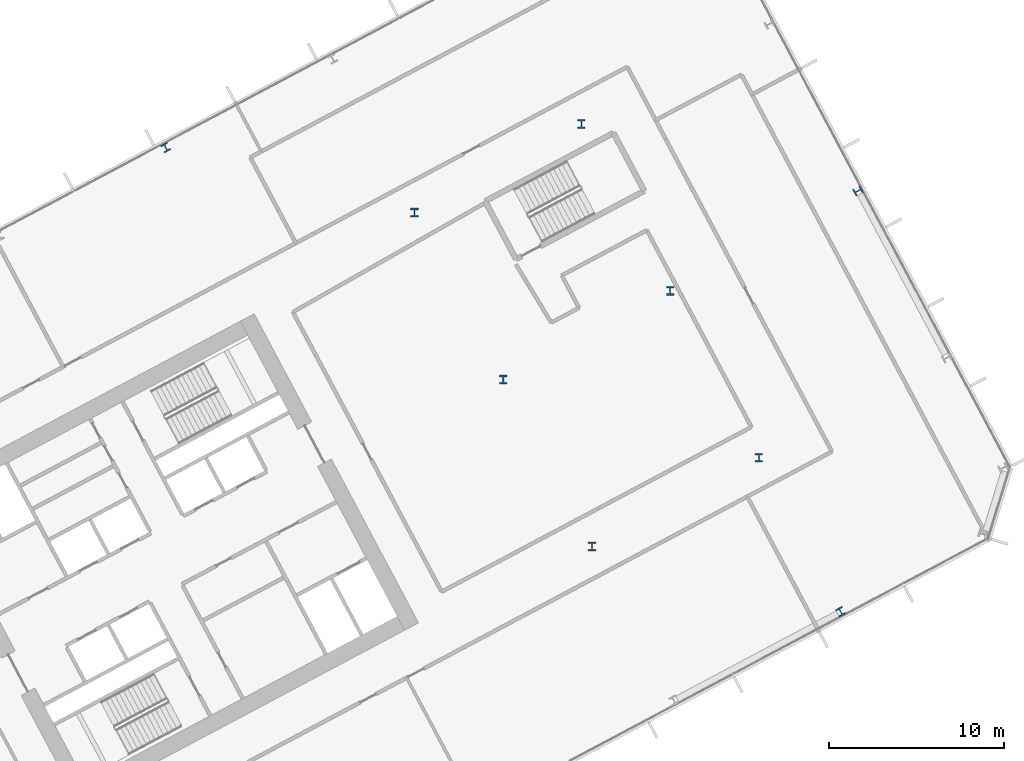
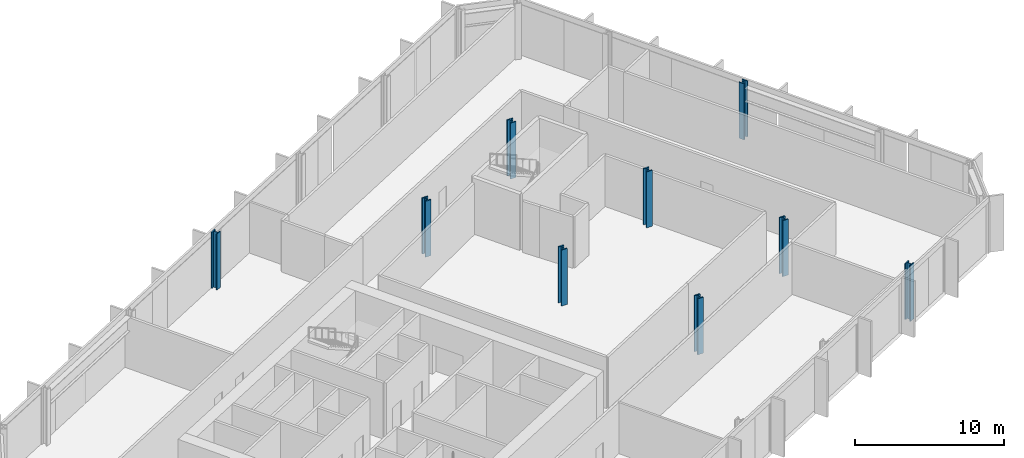
# One storey, part 4 of 30: 9 columns.
"""IFC4 building model written with IfcOpenShell, lengths in metres."""

from ifc_helpers import new_model, si_unit, direction, frame, origin, origin_2d, place, context, subcontext, project, spatial, i_section, extrude, material, material_profile, profile_set, type_object, element, save


model = new_model("IFC4")

# Units and contexts
model_context = context("Model", 3, precision=1e-05, world=origin(), true_north=direction((0.0, 1.0)))
body_context = subcontext(model_context, "Body", "Model", "MODEL_VIEW")
ifc_project = project(units=[si_unit("LENGTHUNIT", "METRE"), si_unit("AREAUNIT", "SQUARE_METRE"), si_unit("VOLUMEUNIT", "CUBIC_METRE"), si_unit("PLANEANGLEUNIT", "RADIAN"), si_unit("MASSUNIT", "GRAM", prefix="KILO")], contexts=[model_context])

# Site, building, storey
site_placement = place(None, origin())
site = spatial("IfcSite", under=ifc_project, at=site_placement, CompositionType="ELEMENT")
building_placement = place(site_placement, origin())
building = spatial("IfcBuilding", under=site, at=building_placement, Name="Cormorant Relay Tower", CompositionType="ELEMENT")
storey_placement = place(building_placement, frame((0.0, 0.0, 89.199951171875)))
storey = spatial("IfcBuildingStorey", under=building, at=storey_placement, Name="L17", CompositionType="ELEMENT", Elevation=89.199951171875)

# Columns
ifc_material_1 = material(Name="Steel ASTM A992 (Fy 345 MPa)", Category="steel")
ifc_material_profile_1 = material_profile(ifc_material_1, i_section(OverallWidth=0.42431640625, OverallDepth=0.47509765625, WebThickness=0.0478515625, FlangeThickness=0.0771484375, FilletRadius=0.014892578125, at=origin_2d()), Name="W360x634")
ifc_profile_set_1 = profile_set([ifc_material_profile_1], Name="Steel ASTM A992 (Fy 345 MPa)")
column_type_1 = type_object("IfcColumnType", Name="Column W360x634", PredefinedType="COLUMN", material=ifc_profile_set_1)
for number, where, z_axis, x_axis, name in (
    (1, (62.3701171875, 9.65087890625, 0.0), (0.0, 0.0, 1.0), (0.882947592859, 0.469471562786, 0.0), "Column L17-020"),
    (2, (63.360107421875, 33.68896484375, 0.0), (0.0, 0.0, 1.0), (-0.469471562786, 0.882947592859, 0.0), "Column L17-042"),
    (3, (23.805908203125, 36.169921875, 0.0), (0.0, 0.0, 1.0), (-0.882947592859, -0.469471562786, 0.0), "Column L17-044"),
):
    element("IfcColumn", number, at=place(storey_placement, frame(where, z_axis=z_axis, x_axis=x_axis)), inside=storey, type_object=column_type_1, Name=name, PredefinedType="COLUMN", context=body_context, shape_type="SweptSolid", body=[
        extrude(i_section(OverallWidth=0.42431640625, OverallDepth=0.47509765625, WebThickness=0.0478515625, FlangeThickness=0.0771484375, FilletRadius=0.014892578125, at=origin_2d()), origin(), (0.0, 0.0, 1.0), 4.60009765625),
    ])
ifc_material_2 = material(Name="Steel ASTM A992 (Fy 345 MPa)", Category="steel")
ifc_material_profile_2 = material_profile(ifc_material_2, i_section(OverallWidth=0.43701171875, OverallDepth=0.51318359375, WebThickness=0.060546875, FlangeThickness=0.096923828125, FilletRadius=0.015380859375, at=origin_2d()), Name="W360x818")
ifc_profile_set_2 = profile_set([ifc_material_profile_2], Name="Steel ASTM A992 (Fy 345 MPa)")
column_type_2 = type_object("IfcColumnType", Name="Column W360x818", PredefinedType="COLUMN", material=ifc_profile_set_2)
for number, where, z_axis, x_axis, name in (
    (4, (48.157958984375, 13.3740234375, 0.0), (0.0, 0.0, 1.0), (1.0, 0.0, 0.0), "Column L17-025"),
    (5, (57.694091796875, 18.445068359375, 0.0), (0.0, 0.0, 1.0), (1.0, 0.0, 0.0), "Column L17-029"),
    (6, (43.087890625, 22.909912109375, 0.0), (0.0, 0.0, 1.0), (1.0, 0.0, 0.0), "Column L17-031"),
    (7, (52.6240234375, 27.98095703125, 0.0), (0.0, 0.0, 1.0), (1.0, 0.0, 0.0), "Column L17-037"),
    (8, (38.01806640625, 32.446044921875, 0.0), (0.0, 0.0, 1.0), (1.0, 0.0, 0.0), "Column L17-040"),
    (9, (47.552978515625, 37.51611328125, 0.0), (0.0, 0.0, 1.0), (1.0, 0.0, 0.0), "Column L17-045"),
):
    element("IfcColumn", number, at=place(storey_placement, frame(where, z_axis=z_axis, x_axis=x_axis)), inside=storey, type_object=column_type_2, Name=name, PredefinedType="COLUMN", context=body_context, shape_type="SweptSolid", body=[
        extrude(i_section(OverallWidth=0.43701171875, OverallDepth=0.51318359375, WebThickness=0.060546875, FlangeThickness=0.096923828125, FilletRadius=0.015380859375, at=origin_2d()), origin(), (0.0, 0.0, 1.0), 4.60009765625),
    ])

save(model, "model.ifc")
